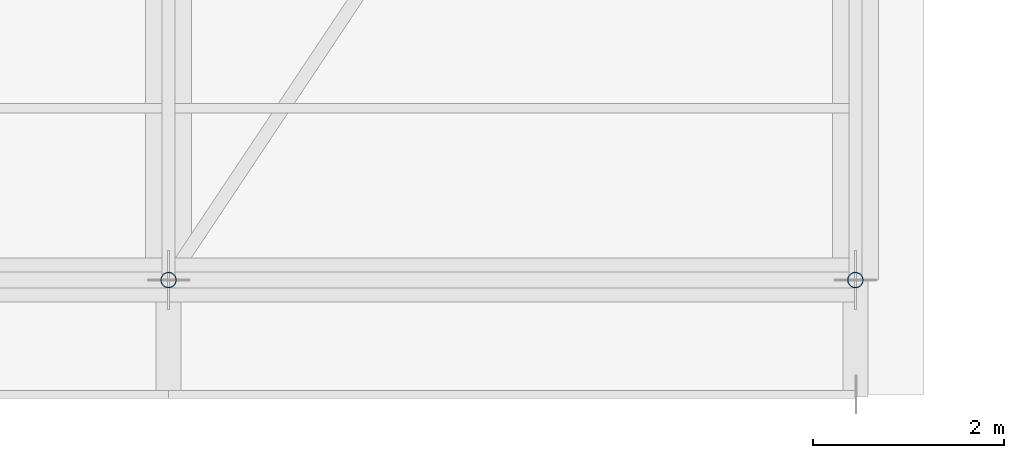
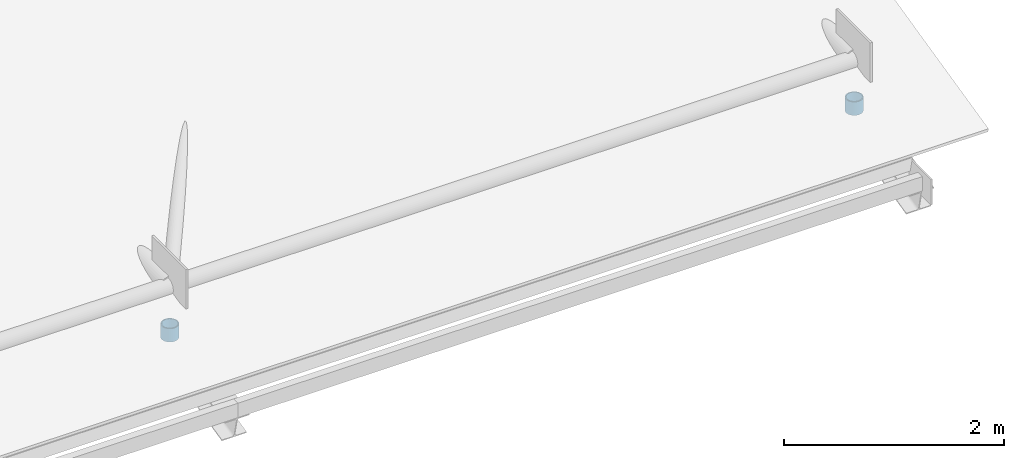
# One storey, part 58 of 84: 2 members.
"""IFC4 building model written with IfcOpenShell, lengths in metres."""

from ifc_helpers import new_model, si_unit, direction, frame, origin, origin_2d, place, context, subcontext, project, spatial, hollow_circle, extrude, material, material_profile, profile_set, type_object, element, save


model = new_model("IFC4")

# Units and contexts
model_context = context("Model", 3, precision=1e-05, world=origin(), true_north=direction((0.0, 1.0)))
body_context = subcontext(model_context, "Body", "Model", "MODEL_VIEW")
ifc_project = project(units=[si_unit("LENGTHUNIT", "METRE"), si_unit("AREAUNIT", "SQUARE_METRE"), si_unit("VOLUMEUNIT", "CUBIC_METRE"), si_unit("PLANEANGLEUNIT", "RADIAN"), si_unit("MASSUNIT", "GRAM", prefix="KILO")], contexts=[model_context])

# Site, building, storey
site_placement = place(None, origin())
site = spatial("IfcSite", under=ifc_project, at=site_placement, CompositionType="ELEMENT")
building_placement = place(site_placement, origin())
building = spatial("IfcBuilding", under=site, at=building_placement, Name="Zornivar Specialist Clinic", CompositionType="ELEMENT")
storey_placement = place(building_placement, frame((0.0, 0.0, 12.300048828125)))
storey = spatial("IfcBuildingStorey", under=building, at=storey_placement, Name="L03", CompositionType="ELEMENT", Elevation=12.300048828125)

# Members
ifc_material = material(Name="Steel S355J2", Category="steel")
ifc_material_profile = material_profile(ifc_material, hollow_circle(Radius=0.084228515625, WallThickness=0.010009765625, at=origin_2d()), Name="CHS 168.3x10")
ifc_profile_set = profile_set([ifc_material_profile], Name="Steel S355J2")
member_type = type_object("IfcMemberType", Name="MEM-STRUT-CHS168", PredefinedType="STRUT", material=ifc_profile_set)
for number, where, z_axis, x_axis, name in (
    (1, (79.199951171875, 0.0, -0.080078125), (0.0, 0.0, -1.0), (1.0, 0.0, 0.0), "mem:V3:L03:post:3:S"),
    (2, (86.39990234375, 0.0, -0.080078125), (0.0, 0.0, -1.0), (1.0, 0.0, 0.0), "mem:V3:L03:post:4:S"),
):
    element("IfcMember", number, at=place(storey_placement, frame(where, z_axis=z_axis, x_axis=x_axis)), inside=storey, type_object=member_type, Name=name, PredefinedType="STRUT", context=body_context, shape_type="SweptSolid", body=[
        extrude(hollow_circle(Radius=0.084228515625, WallThickness=0.010009765625, at=origin_2d()), origin(), (0.0, 0.0, 1.0), 0.14990234375),
    ])

save(model, "model.ifc")
